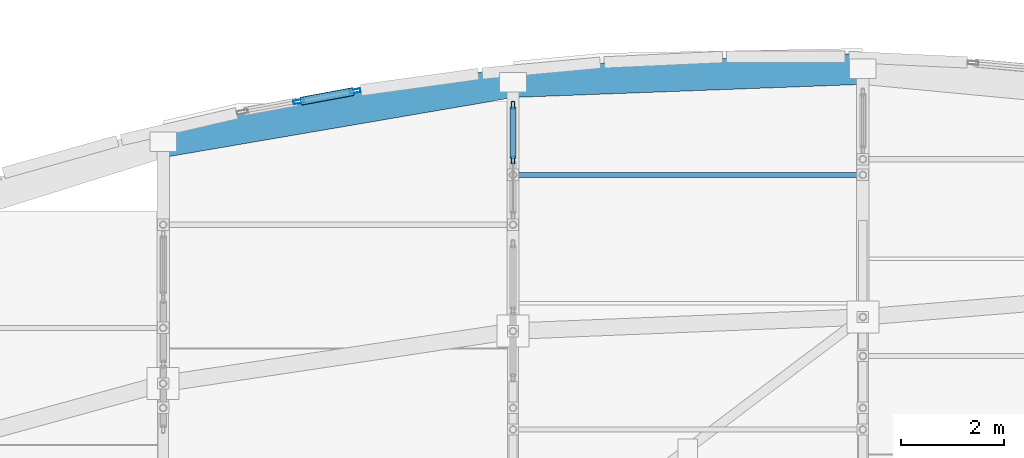
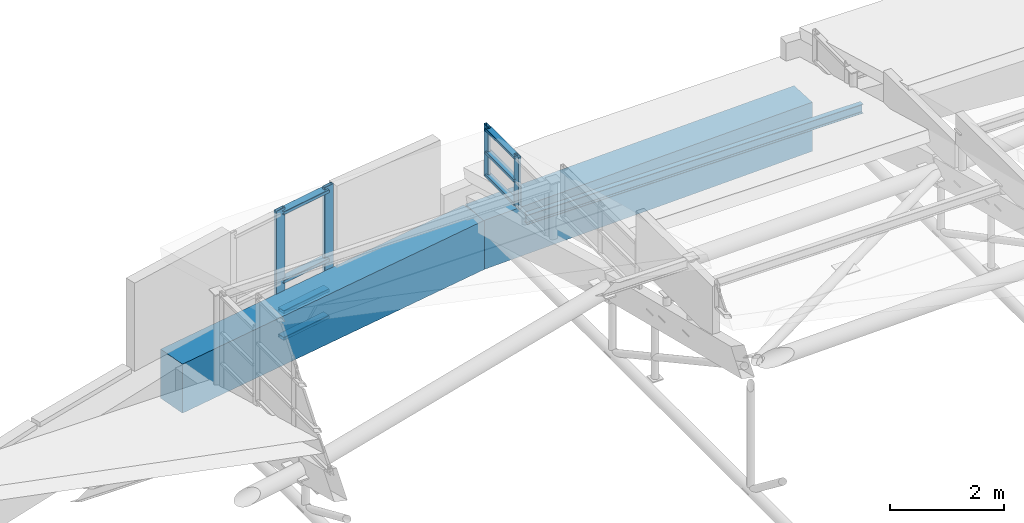
# One storey, part 100 of 188: 12 members, 2 beams, 2 elements without a shape of their own.
"""IFC4 building model written with IfcOpenShell, lengths in metres."""

from ifc_helpers import new_model, si_unit, direction, frame, origin, origin_2d, place, context, subcontext, project, spatial, rectangle, hollow_rectangle, i_section, extrude, material, layer, layer_set, material_profile, profile_set, type_object, element, aggregate, save


model = new_model("IFC4")

# Units and contexts
model_context = context("Model", 3, precision=1e-05, world=origin(), true_north=direction((0.0, 1.0)))
body_context = subcontext(model_context, "Body", "Model", "MODEL_VIEW")
ifc_project = project(units=[si_unit("LENGTHUNIT", "METRE"), si_unit("AREAUNIT", "SQUARE_METRE"), si_unit("VOLUMEUNIT", "CUBIC_METRE"), si_unit("PLANEANGLEUNIT", "RADIAN"), si_unit("MASSUNIT", "GRAM", prefix="KILO")], contexts=[model_context])

# Site, building, storey
site_placement = place(None, origin())
site = spatial("IfcSite", under=ifc_project, at=site_placement, CompositionType="ELEMENT")
building_placement = place(site_placement, origin())
building = spatial("IfcBuilding", under=site, at=building_placement, Name="Kisaragi Civic Commons", CompositionType="ELEMENT")
storey_placement = place(building_placement, frame((0.0, 0.0, 9.60009765625)))
storey = spatial("IfcBuildingStorey", under=building, at=storey_placement, Name="L02", CompositionType="ELEMENT", Elevation=9.60009765625)

# Curtain wall, members
ifc_material_1 = material(Name="Thermally broken anodized aluminium and low-E double glazing", Category="aluminium")
ifc_layer_1 = layer(ifc_material_1, 0.14990234375, Name="Thermally broken anodized aluminium and low-E double glazing", Category="aluminium")
ifc_layer_set_1 = layer_set([ifc_layer_1], Name="Thermally broken anodized aluminium and low-E double glazing")
curtain_wall_type_1 = type_object("IfcCurtainWallType", Name="CW-03", PredefinedType="NOTDEFINED", material=ifc_layer_set_1)
curtain_wall_1_placement = place(storey_placement, origin())
curtain_wall_1 = element("IfcCurtainWall", 1, at=curtain_wall_1_placement, inside=storey, type_object=curtain_wall_type_1, Name="L02 curtain wall CW-03 CW-CL-V2-202", PredefinedType="NOTDEFINED")
ifc_material_profile_1 = material_profile(ifc_material_1, hollow_rectangle(XDim=0.06005859375, YDim=0.14990234375, WallThickness=0.00390625, InnerFilletRadius=0.00390625, OuterFilletRadius=0.008056640625, at=origin_2d()), Name="CWM-60x150x4", Category="aluminium")
ifc_profile_set_1 = profile_set([ifc_material_profile_1], Name="Thermally broken anodized aluminium and low-E double glazing")
member_type_1 = type_object("IfcMemberType", Name="CWM-01", PredefinedType="MULLION", material=ifc_profile_set_1)
member_1_placement = place(storey_placement, frame((20.39990234375, 116.416748046875, 0.71435546875), z_axis=(0.0, 0.0, 1.0), x_axis=(-1.0, 0.0, 0.0)))
member_1 = element("IfcMember", 2, at=member_1_placement, type_object=member_type_1, Name="CW-03 mullion 2", PredefinedType="MULLION", context=body_context, shape_type="SweptSolid", body=[
    extrude(hollow_rectangle(XDim=0.06005859375, YDim=0.14990234375, WallThickness=0.00390625, InnerFilletRadius=0.00390625, OuterFilletRadius=0.008056640625, at=origin_2d()), origin(), (0.0, 0.0, 1.0), 1.109619140625),
])
member_2_placement = place(storey_placement, frame((20.39990234375, 117.482666015625, 0.71435546875), z_axis=(0.0, 0.0, 1.0), x_axis=(-1.0, 0.0, 0.0)))
member_2 = element("IfcMember", 3, at=member_2_placement, type_object=member_type_1, Name="CW-03 mullion 3", PredefinedType="MULLION", context=body_context, shape_type="SweptSolid", body=[
    extrude(hollow_rectangle(XDim=0.06005859375, YDim=0.14990234375, WallThickness=0.00390625, InnerFilletRadius=0.00390625, OuterFilletRadius=0.008056640625, at=origin_2d()), origin(), (0.0, 0.0, 1.0), 1.109619140625),
])

ifc_layer_2 = layer(ifc_material_1, 0.2099609375, Name="Thermally broken anodized aluminium and low-E double glazing", Category="aluminium")
ifc_layer_set_2 = layer_set([ifc_layer_2], Name="Thermally broken anodized aluminium and low-E double glazing")
curtain_wall_type_2 = type_object("IfcCurtainWallType", Name="CW-02", PredefinedType="NOTDEFINED", material=ifc_layer_set_2)
curtain_wall_2_placement = place(storey_placement, origin())
curtain_wall_2 = element("IfcCurtainWall", 4, at=curtain_wall_2_placement, inside=storey, type_object=curtain_wall_type_2, Name="L02 curtain wall CW-02 CW-GAB-V2-223", PredefinedType="NOTDEFINED")
ifc_material_profile_2 = material_profile(ifc_material_1, hollow_rectangle(XDim=0.070068359375, YDim=0.2099609375, WallThickness=0.0048828125, InnerFilletRadius=0.0048828125, OuterFilletRadius=0.010009765625, at=origin_2d()), Name="CWM-70x210x5", Category="aluminium")
ifc_profile_set_2 = profile_set([ifc_material_profile_2], Name="Thermally broken anodized aluminium and low-E double glazing")
member_type_2 = type_object("IfcMemberType", Name="CWM-03", PredefinedType="MULLION", material=ifc_profile_set_2)
member_3_placement = place(storey_placement, frame((16.237548828125, 117.554443359375, -1.399169921875), z_axis=(0.0, 0.0, 1.0), x_axis=(-0.182003607066, 0.983297862814, 0.0)))
member_3 = element("IfcMember", 5, at=member_3_placement, type_object=member_type_2, Name="CW-02 mullion 2", PredefinedType="MULLION", context=body_context, shape_type="SweptSolid", body=[
    extrude(hollow_rectangle(XDim=0.070068359375, YDim=0.2099609375, WallThickness=0.0048828125, InnerFilletRadius=0.0048828125, OuterFilletRadius=0.010009765625, at=origin_2d()), origin(), (0.0, 0.0, 1.0), 2.8486328125),
])
member_4_placement = place(storey_placement, frame((17.33349609375, 117.75732421875, -1.399169921875), z_axis=(0.0, 0.0, 1.0), x_axis=(-0.182003607066, 0.983297862814, 0.0)))
member_4 = element("IfcMember", 6, at=member_4_placement, type_object=member_type_2, Name="CW-02 mullion 3", PredefinedType="MULLION", context=body_context, shape_type="SweptSolid", body=[
    extrude(hollow_rectangle(XDim=0.070068359375, YDim=0.2099609375, WallThickness=0.0048828125, InnerFilletRadius=0.0048828125, OuterFilletRadius=0.010009765625, at=origin_2d()), origin(), (0.0, 0.0, 1.0), 2.8486328125),
])

# Member
ifc_material_profile_3 = material_profile(ifc_material_1, hollow_rectangle(XDim=0.1201171875, YDim=0.06005859375, WallThickness=0.00390625, InnerFilletRadius=0.00390625, OuterFilletRadius=0.008056640625, at=origin_2d()), Name="CWT-60x120x4", Category="aluminium")
ifc_profile_set_3 = profile_set([ifc_material_profile_3], Name="Thermally broken anodized aluminium and low-E double glazing")
member_type_3 = type_object("IfcMemberType", Name="CWT-01", PredefinedType="USERDEFINED", material=ifc_profile_set_3)
member_5_placement = place(storey_placement, frame((20.39990234375, 116.44677734375, 0.7744140625), z_axis=(0.0, 1.0, 0.0), x_axis=(-1.0, 0.0, 0.0)))
member_5 = element("IfcMember", 7, at=member_5_placement, type_object=member_type_3, Name="CW-03 transom 2.1", ObjectType="TRANSOM", PredefinedType="USERDEFINED", context=body_context, shape_type="SweptSolid", body=[
    extrude(hollow_rectangle(XDim=0.1201171875, YDim=0.06005859375, WallThickness=0.00390625, InnerFilletRadius=0.00390625, OuterFilletRadius=0.008056640625, at=origin_2d()), origin(), (0.0, 0.0, 1.0), 1.005859375),
])

member_6_placement = place(storey_placement, frame((20.39990234375, 116.44677734375, 1.269287109375), z_axis=(0.0, 1.0, 0.0), x_axis=(-1.0, 0.0, 0.0)))
member_6 = element("IfcMember", 8, at=member_6_placement, type_object=member_type_3, Name="CW-03 transom 2.2", ObjectType="TRANSOM", PredefinedType="USERDEFINED", context=body_context, shape_type="SweptSolid", body=[
    extrude(hollow_rectangle(XDim=0.1201171875, YDim=0.06005859375, WallThickness=0.00390625, InnerFilletRadius=0.00390625, OuterFilletRadius=0.008056640625, at=origin_2d()), origin(), (0.0, 0.0, 1.0), 1.005859375),
])

member_7_placement = place(storey_placement, frame((20.39990234375, 116.44677734375, 1.763916015625), z_axis=(0.0, 1.0, 0.0), x_axis=(-1.0, 0.0, 0.0)))
member_7 = element("IfcMember", 9, at=member_7_placement, type_object=member_type_3, Name="CW-03 transom 2.3", ObjectType="TRANSOM", PredefinedType="USERDEFINED", context=body_context, shape_type="SweptSolid", body=[
    extrude(hollow_rectangle(XDim=0.1201171875, YDim=0.06005859375, WallThickness=0.00390625, InnerFilletRadius=0.00390625, OuterFilletRadius=0.008056640625, at=origin_2d()), origin(), (0.0, 0.0, 1.0), 1.005859375),
])

aggregate(curtain_wall_1, [member_1, member_2, member_5, member_6, member_7])

ifc_material_profile_4 = material_profile(ifc_material_1, hollow_rectangle(XDim=0.159912109375, YDim=0.070068359375, WallThickness=0.0048828125, InnerFilletRadius=0.0048828125, OuterFilletRadius=0.010009765625, at=origin_2d()), Name="CWT-70x160x5", Category="aluminium")
ifc_profile_set_4 = profile_set([ifc_material_profile_4], Name="Thermally broken anodized aluminium and low-E double glazing")
member_type_4 = type_object("IfcMemberType", Name="CWT-03", PredefinedType="USERDEFINED", material=ifc_profile_set_4)
member_8_placement = place(storey_placement, frame((16.27197265625, 117.56103515625, -1.319091796875), z_axis=(0.983326924237, 0.181846528894, 0.0), x_axis=(-0.181846528894, 0.983326924237, 0.0)))
member_8 = element("IfcMember", 10, at=member_8_placement, type_object=member_type_4, Name="CW-02 transom 2.1", ObjectType="TRANSOM", PredefinedType="USERDEFINED", context=body_context, shape_type="SweptSolid", body=[
    extrude(hollow_rectangle(XDim=0.159912109375, YDim=0.070068359375, WallThickness=0.0048828125, InnerFilletRadius=0.0048828125, OuterFilletRadius=0.010009765625, at=origin_2d()), origin(), (0.0, 0.0, 1.0), 1.04443359375),
])

member_9_placement = place(storey_placement, frame((16.27197265625, 117.56103515625, -0.7490234375), z_axis=(0.983326924237, 0.181846528894, 0.0), x_axis=(-0.181846528894, 0.983326924237, 0.0)))
member_9 = element("IfcMember", 11, at=member_9_placement, type_object=member_type_4, Name="CW-02 transom 2.2", ObjectType="TRANSOM", PredefinedType="USERDEFINED", context=body_context, shape_type="SweptSolid", body=[
    extrude(hollow_rectangle(XDim=0.159912109375, YDim=0.070068359375, WallThickness=0.0048828125, InnerFilletRadius=0.0048828125, OuterFilletRadius=0.010009765625, at=origin_2d()), origin(), (0.0, 0.0, 1.0), 1.04443359375),
])

member_10_placement = place(storey_placement, frame((16.27197265625, 117.56103515625, -0.09912109375), z_axis=(0.983326924237, 0.181846528894, 0.0), x_axis=(-0.181846528894, 0.983326924237, 0.0)))
member_10 = element("IfcMember", 12, at=member_10_placement, type_object=member_type_4, Name="CW-02 transom 2.3", ObjectType="TRANSOM", PredefinedType="USERDEFINED", context=body_context, shape_type="SweptSolid", body=[
    extrude(hollow_rectangle(XDim=0.159912109375, YDim=0.070068359375, WallThickness=0.0048828125, InnerFilletRadius=0.0048828125, OuterFilletRadius=0.010009765625, at=origin_2d()), origin(), (0.0, 0.0, 1.0), 1.04443359375),
])

member_11_placement = place(storey_placement, frame((16.27197265625, 117.56103515625, 1.369384765625), z_axis=(0.983326924237, 0.181846528894, 0.0), x_axis=(-0.181846528894, 0.983326924237, 0.0)))
member_11 = element("IfcMember", 13, at=member_11_placement, type_object=member_type_4, Name="CW-02 transom 2.4", ObjectType="TRANSOM", PredefinedType="USERDEFINED", context=body_context, shape_type="SweptSolid", body=[
    extrude(hollow_rectangle(XDim=0.159912109375, YDim=0.070068359375, WallThickness=0.0048828125, InnerFilletRadius=0.0048828125, OuterFilletRadius=0.010009765625, at=origin_2d()), origin(), (0.0, 0.0, 1.0), 1.04443359375),
])

aggregate(curtain_wall_2, [member_3, member_4, member_8, member_9, member_10, member_11])

# Beams
ifc_material_2 = material(Name="Concrete Fc36", Category="concrete")
ifc_material_profile_5 = material_profile(ifc_material_2, rectangle(XDim=0.60009765625, YDim=1.050048828125, at=origin_2d()), Name="RC-600x1050", Category="concrete")
ifc_profile_set_5 = profile_set([ifc_material_profile_5], Name="Concrete Fc36")
beam_type = type_object("IfcBeamType", Name="G-06", PredefinedType="BEAM", material=ifc_profile_set_5)
beam_1_placement = place(storey_placement, frame((27.199951171875, 118.1884765625, -0.84521484375), z_axis=(-0.99930095375, -0.037384540043, 0.0), x_axis=(0.037384540043, -0.99930095375, 0.0)))
element("IfcBeam", 14, at=beam_1_placement, inside=storey, type_object=beam_type, Name="L02 curved spandrel/ring girder G-06 285", PredefinedType="BEAM", context=body_context, shape_type="SweptSolid", body=[
    extrude(rectangle(XDim=0.60009765625, YDim=1.050048828125, at=origin_2d()), origin(), (0.0, 0.0, 1.0), 6.8046875),
])
beam_2_placement = place(storey_placement, frame((20.39990234375, 117.93408203125, -0.84521484375), z_axis=(-0.985667179406, -0.168701545463, 0.0), x_axis=(0.168701545463, -0.985667179406, 0.0)))
element("IfcBeam", 15, at=beam_2_placement, inside=storey, type_object=beam_type, Name="L02 curved spandrel/ring girder G-06 286", PredefinedType="BEAM", context=body_context, shape_type="SweptSolid", body=[
    extrude(rectangle(XDim=0.60009765625, YDim=1.050048828125, at=origin_2d()), origin(), (0.0, 0.0, 1.0), 6.898681640625),
])

# Member
ifc_material_3 = material(Name="Steel SN400 (SN400B)", Category="steel")
ifc_material_profile_6 = material_profile(ifc_material_3, i_section(OverallWidth=0.10009765625, OverallDepth=0.199951171875, WebThickness=0.005615234375, FlangeThickness=0.008056640625, FilletRadius=0.008056640625, at=origin_2d()), Name="H-200x100x5.5x8", Category="steel")
ifc_profile_set_6 = profile_set([ifc_material_profile_6], Name="Steel SN400 (SN400B)")
member_type_5 = type_object("IfcMemberType", Name="PR-02", PredefinedType="PURLIN", material=ifc_profile_set_6)
member_12_placement = place(storey_placement, frame((20.39990234375, 116.129150390625, 0.64208984375), z_axis=(1.0, 0.0, 0.0), x_axis=(0.0, 1.0, 0.0)))
element("IfcMember", 16, at=member_12_placement, inside=storey, type_object=member_type_5, Name="V2 wave vault steel purlin 32", PredefinedType="PURLIN", context=body_context, shape_type="SweptSolid", body=[
    extrude(i_section(OverallWidth=0.10009765625, OverallDepth=0.199951171875, WebThickness=0.005615234375, FlangeThickness=0.008056640625, FilletRadius=0.008056640625, at=origin_2d()), origin(), (0.0, 0.0, 1.0), 6.800048828125),
])

save(model, "model.ifc")
